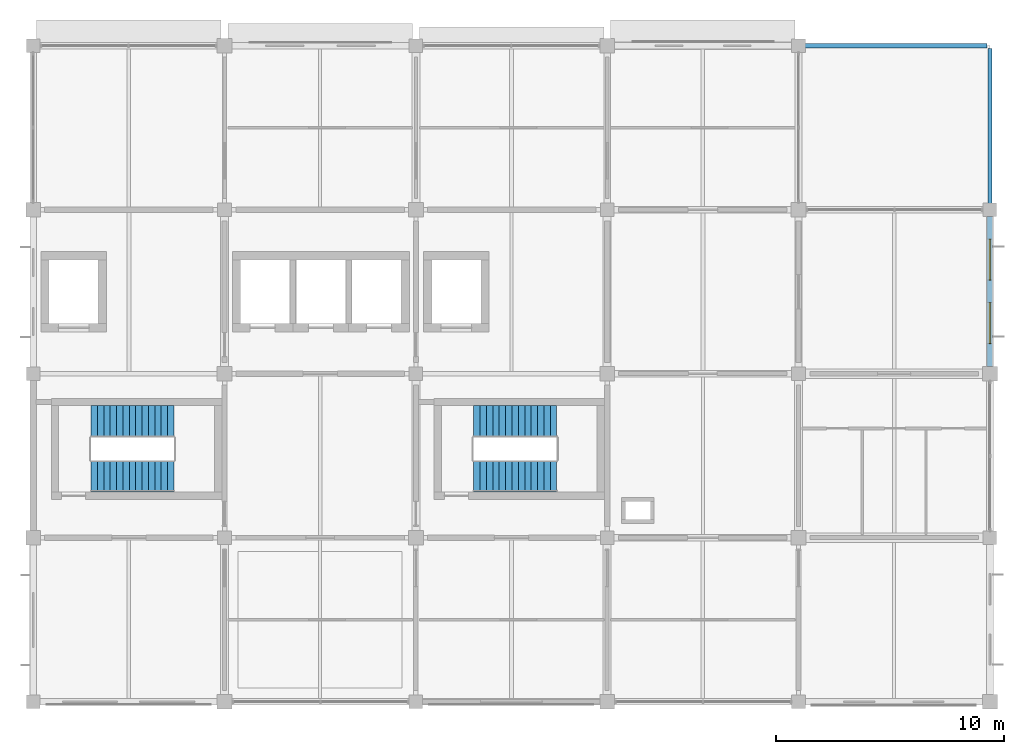
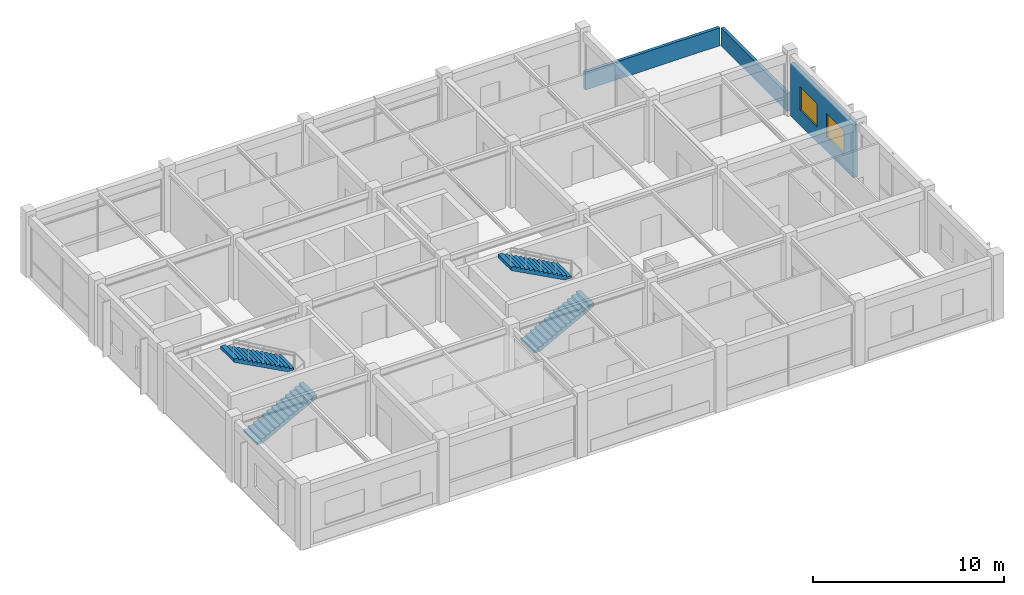
# One storey, part 11 of 13: 4 stair flights, 3 walls, 2 windows, 2 openings, 2 elements without a shape of their own.
"""IFC4 building model written with IfcOpenShell, lengths in metres."""

from ifc_helpers import new_model, si_unit, derived_unit, direction, frame, frame_2d, origin, place, context, subcontext, project, spatial, polyline, rectangle, outline, extrude, material, layer, layer_set, type_object, element, fill, aggregate, save


model = new_model("IFC4")

# Units and contexts
model_context = context("Model", 3, precision=1e-05, world=origin(), true_north=direction((0.0, 1.0)))
body_context = subcontext(model_context, "Body", "Model", "MODEL_VIEW")
ifc_project = project(units=[si_unit("LENGTHUNIT", "METRE"), si_unit("AREAUNIT", "SQUARE_METRE"), si_unit("VOLUMEUNIT", "CUBIC_METRE"), si_unit("PLANEANGLEUNIT", "RADIAN"), si_unit("MASSUNIT", "GRAM", prefix="KILO"), derived_unit("THERMALTRANSMITTANCEUNIT", [(si_unit("MASSUNIT", "GRAM", prefix="KILO"), 1), (si_unit("TIMEUNIT", "SECOND"), -3), (si_unit("THERMODYNAMICTEMPERATUREUNIT", "KELVIN"), -1)])], contexts=[model_context])

# Site, building, storey
site_placement = place(None, origin())
site = spatial("IfcSite", under=ifc_project, at=site_placement, CompositionType="ELEMENT")
building_placement = place(site_placement, origin())
building = spatial("IfcBuilding", under=site, at=building_placement, Name="Veldstrom Oceanarium and Marine Research Institute", CompositionType="ELEMENT")
storey_placement = place(building_placement, frame((0.0, 0.0, 52.199951171875)))
storey = spatial("IfcBuildingStorey", under=building, at=storey_placement, Name="L11", CompositionType="ELEMENT", Elevation=52.199951171875)

# Wall, openings, windows
ifc_material_1 = material(Name="Masonry Cavity Wall", Category="masonry")
ifc_layer_1 = layer(ifc_material_1, 0.25)
ifc_layer_set_1 = layer_set([ifc_layer_1], Name="ARC-WAL-EW5")
wall_type_1 = type_object("IfcWallType", Name="ARC-WAL-EW5", PredefinedType="SOLIDWALL", material=ifc_layer_set_1)
wall_1_placement = place(storey_placement, frame((117.60009765625, 57.925048828125, 0.0), z_axis=(0.0, 0.0, 1.0), x_axis=(0.0, 1.0, 0.0)))
wall_1 = element("IfcWall", 1, at=wall_1_placement, inside=storey, type_object=wall_type_1, Name="Exterior Facade Wall EW5 L11-240", PredefinedType="SOLIDWALL", context=body_context, shape_type="SweptSolid", body=[
    extrude(rectangle(XDim=6.574951171875, YDim=0.25, at=frame_2d((3.28759765625, 0.0))), origin(), (0.0, 0.0, 1.0), 3.364990234375),
])
opening_1_placement = place(wall_1_placement, frame((0.99169921875, 0.0, 0.949951171875)))
opening_1 = element("IfcOpeningElement", 2, at=opening_1_placement, cuts=wall_1, Name="Opening W14", PredefinedType="OPENING", context=body_context, shape_type="SweptSolid", body=[
    extrude(rectangle(XDim=1.800048828125, YDim=1.5, at=frame_2d((0.89990234375, 0.75))), frame((0.0, 0.135009765625, 0.0), z_axis=(0.0, -1.0, 0.0), x_axis=(1.0, 0.0, 0.0)), (0.0, 0.0, 1.0), 0.27001953125),
])
opening_2_placement = place(wall_1_placement, frame((3.783203125, 0.0, 0.949951171875)))
opening_2 = element("IfcOpeningElement", 3, at=opening_2_placement, cuts=wall_1, Name="Opening W14", PredefinedType="OPENING", context=body_context, shape_type="SweptSolid", body=[
    extrude(rectangle(XDim=1.800048828125, YDim=1.5, at=frame_2d((0.89990234375, 0.75))), frame((0.0, 0.135009765625, 0.0), z_axis=(0.0, -1.0, 0.0), x_axis=(1.0, 0.0, 0.0)), (0.0, 0.0, 1.0), 0.27001953125),
])
ifc_material_2 = material(Name="Double Glazed Low-E IGU", Category="glass")
window_type = type_object("IfcWindowType", Name="ARC-WIN-W14", PartitioningType="SINGLE_PANEL", PredefinedType="WINDOW", material=ifc_material_2)
window_1_placement = place(opening_1_placement, origin())
window_1 = element("IfcWindow", 4, at=window_1_placement, inside=storey, type_object=window_type, Name="Facade Window W14 L11-0223", OverallHeight=1.5, OverallWidth=1.800048828125, PartitioningType="SINGLE_PANEL", PredefinedType="WINDOW", context=body_context, shape_type="SweptSolid", body=[
    extrude(rectangle(XDim=1.800048828125, YDim=1.5, at=frame_2d((0.89990234375, 0.75))), frame((0.0, 0.030029296875, 0.0), z_axis=(0.0, -1.0, 0.0), x_axis=(1.0, 0.0, 0.0)), (0.0, 0.0, 1.0), 0.06005859375),
])
fill(opening_1, window_1)
window_2_placement = place(opening_2_placement, origin())
window_2 = element("IfcWindow", 5, at=window_2_placement, inside=storey, type_object=window_type, Name="Facade Window W14 L11-0224", OverallHeight=1.5, OverallWidth=1.800048828125, PartitioningType="SINGLE_PANEL", PredefinedType="WINDOW", context=body_context, shape_type="SweptSolid", body=[
    extrude(rectangle(XDim=1.800048828125, YDim=1.5, at=frame_2d((0.89990234375, 0.75))), frame((0.0, 0.030029296875, 0.0), z_axis=(0.0, -1.0, 0.0), x_axis=(1.0, 0.0, 0.0)), (0.0, 0.0, 1.0), 0.06005859375),
])
fill(opening_2, window_2)

# Walls
ifc_material_3 = material(Name="Masonry Cavity Wall", Category="masonry")
ifc_layer_2 = layer(ifc_material_3, 0.18505859375)
ifc_layer_set_2 = layer_set([ifc_layer_2], Name="ARC-WAL-PR2")
wall_type_2 = type_object("IfcWallType", Name="ARC-WAL-PR2", PredefinedType="PARAPET", material=ifc_layer_set_2)
wall_2_placement = place(storey_placement, frame((109.320068359375, 72.0, 0.0), z_axis=(0.0, 0.0, 1.0), x_axis=(1.0, 0.0, 0.0)))
element("IfcWall", 6, at=wall_2_placement, inside=storey, type_object=wall_type_2, Name="Roof Parapet Wall L10-105", PredefinedType="PARAPET", context=body_context, shape_type="SweptSolid", body=[
    extrude(rectangle(XDim=8.159912109375, YDim=0.18505859375, at=frame_2d((4.080078125, 0.0))), origin(), (0.0, 0.0, 1.0), 1.150146484375),
])
wall_3_placement = place(storey_placement, frame((117.60009765625, 64.919921875, 0.0), z_axis=(0.0, 0.0, 1.0), x_axis=(0.0, 1.0, 0.0)))
element("IfcWall", 7, at=wall_3_placement, inside=storey, type_object=wall_type_2, Name="Roof Parapet Wall L10-106", PredefinedType="PARAPET", context=body_context, shape_type="SweptSolid", body=[
    extrude(rectangle(XDim=6.9599609375, YDim=0.18505859375, at=frame_2d((3.47998046875, 0.0))), origin(), (0.0, 0.0, 1.0), 1.150146484375),
])

# Stair, stair flights
ifc_material_4 = material(Name="Concrete C40/50", Category="concrete")
stair_type = type_object("IfcStairType", Name="ARC-STR-ST-420", PredefinedType="TWO_STRAIGHT_RUN_STAIR", material=ifc_material_4)
stair_1_placement = place(storey_placement, origin())
stair_1 = element("IfcStair", 8, at=stair_1_placement, inside=storey, type_object=stair_type, Name="Dog-Leg Escape Stair ST1-L11", PredefinedType="TWO_STRAIGHT_RUN_STAIR")
ifc_material_5 = material(Name="Concrete C40/50", Category="concrete")
stair_flight_type = type_object("IfcStairFlightType", Name="ARC-STF-ST-420", PredefinedType="STRAIGHT", material=ifc_material_5)
stair_flight_1_placement = place(storey_placement, frame((78.139892578125, 53.10009765625, 0.0), z_axis=(0.0, 0.0, 1.0), x_axis=(1.0, 0.0, 0.0)))
stair_flight_1 = element("IfcStairFlight", 9, at=stair_flight_1_placement, type_object=stair_flight_type, Name="Stair Flight ST1-L11-1", NumberOfRisers=14, NumberOfTreads=13, PredefinedType="STRAIGHT", RiserHeight=0.15, TreadLength=0.28, context=body_context, shape_type="SweptSolid", body=[
    extrude(outline(polyline([(0.0, 0.0), (0.0, 0.14990234375), (0.280029296875, 0.14990234375), (0.280029296875, 0.300048828125), (0.56005859375, 0.300048828125), (0.56005859375, 0.449951171875), (0.840087890625, 0.449951171875), (0.840087890625, 0.60009765625), (1.1201171875, 0.60009765625), (1.1201171875, 0.75), (1.39990234375, 0.75), (1.39990234375, 0.89990234375), (1.679931640625, 0.89990234375), (1.679931640625, 1.050048828125), (1.9599609375, 1.050048828125), (1.9599609375, 1.199951171875), (2.239990234375, 1.199951171875), (2.239990234375, 1.35009765625), (2.52001953125, 1.35009765625), (2.52001953125, 1.5), (2.800048828125, 1.5), (2.800048828125, 1.64990234375), (3.080078125, 1.64990234375), (3.080078125, 1.800048828125), (3.360107421875, 1.800048828125), (3.360107421875, 1.949951171875), (3.639892578125, 1.949951171875), (3.639892578125, 2.10009765625), (3.639892578125, 1.745849609375), (0.381103515625, 0.0), (0.0, 0.0)])), frame((0.0, 0.699951171875, 0.0), z_axis=(0.0, -1.0, 0.0), x_axis=(1.0, 0.0, 0.0)), (0.0, 0.0, 1.0), 1.39990234375),
])
stair_flight_2_placement = place(storey_placement, frame((81.780029296875, 55.5, 2.10009765625), z_axis=(0.0, 0.0, 1.0), x_axis=(-1.0, 0.0, 0.0)))
stair_flight_2 = element("IfcStairFlight", 10, at=stair_flight_2_placement, type_object=stair_flight_type, Name="Stair Flight ST1-L11-2", NumberOfRisers=14, NumberOfTreads=13, PredefinedType="STRAIGHT", RiserHeight=0.15, TreadLength=0.28, context=body_context, shape_type="SweptSolid", body=[
    extrude(outline(polyline([(0.0, 0.0), (0.0, 0.14990234375), (0.280029296875, 0.14990234375), (0.280029296875, 0.300048828125), (0.56005859375, 0.300048828125), (0.56005859375, 0.449951171875), (0.840087890625, 0.449951171875), (0.840087890625, 0.60009765625), (1.1201171875, 0.60009765625), (1.1201171875, 0.75), (1.39990234375, 0.75), (1.39990234375, 0.89990234375), (1.679931640625, 0.89990234375), (1.679931640625, 1.050048828125), (1.9599609375, 1.050048828125), (1.9599609375, 1.199951171875), (2.239990234375, 1.199951171875), (2.239990234375, 1.35009765625), (2.52001953125, 1.35009765625), (2.52001953125, 1.5), (2.800048828125, 1.5), (2.800048828125, 1.64990234375), (3.080078125, 1.64990234375), (3.080078125, 1.800048828125), (3.360107421875, 1.800048828125), (3.360107421875, 1.949951171875), (3.639892578125, 1.949951171875), (3.639892578125, 2.10009765625), (3.639892578125, 1.745849609375), (0.381103515625, 0.0), (0.0, 0.0)])), frame((0.0, 0.699951171875, 0.0), z_axis=(0.0, -1.0, 0.0), x_axis=(1.0, 0.0, 0.0)), (0.0, 0.0, 1.0), 1.39990234375),
])
aggregate(stair_1, [stair_flight_1, stair_flight_2])

stair_2_placement = place(storey_placement, origin())
stair_2 = element("IfcStair", 11, at=stair_2_placement, inside=storey, type_object=stair_type, Name="Dog-Leg Escape Stair ST2-L11", PredefinedType="TWO_STRAIGHT_RUN_STAIR")
stair_flight_3_placement = place(storey_placement, frame((94.93994140625, 53.10009765625, 0.0), z_axis=(0.0, 0.0, 1.0), x_axis=(1.0, 0.0, 0.0)))
stair_flight_3 = element("IfcStairFlight", 12, at=stair_flight_3_placement, type_object=stair_flight_type, Name="Stair Flight ST2-L11-1", NumberOfRisers=14, NumberOfTreads=13, PredefinedType="STRAIGHT", RiserHeight=0.15, TreadLength=0.28, context=body_context, shape_type="SweptSolid", body=[
    extrude(outline(polyline([(0.0, 0.0), (0.0, 0.14990234375), (0.280029296875, 0.14990234375), (0.280029296875, 0.300048828125), (0.56005859375, 0.300048828125), (0.56005859375, 0.449951171875), (0.840087890625, 0.449951171875), (0.840087890625, 0.60009765625), (1.1201171875, 0.60009765625), (1.1201171875, 0.75), (1.39990234375, 0.75), (1.39990234375, 0.89990234375), (1.679931640625, 0.89990234375), (1.679931640625, 1.050048828125), (1.9599609375, 1.050048828125), (1.9599609375, 1.199951171875), (2.239990234375, 1.199951171875), (2.239990234375, 1.35009765625), (2.52001953125, 1.35009765625), (2.52001953125, 1.5), (2.800048828125, 1.5), (2.800048828125, 1.64990234375), (3.080078125, 1.64990234375), (3.080078125, 1.800048828125), (3.360107421875, 1.800048828125), (3.360107421875, 1.949951171875), (3.639892578125, 1.949951171875), (3.639892578125, 2.10009765625), (3.639892578125, 1.745849609375), (0.381103515625, 0.0), (0.0, 0.0)])), frame((0.0, 0.699951171875, 0.0), z_axis=(0.0, -1.0, 0.0), x_axis=(1.0, 0.0, 0.0)), (0.0, 0.0, 1.0), 1.39990234375),
])
stair_flight_4_placement = place(storey_placement, frame((98.580078125, 55.5, 2.10009765625), z_axis=(0.0, 0.0, 1.0), x_axis=(-1.0, 0.0, 0.0)))
stair_flight_4 = element("IfcStairFlight", 13, at=stair_flight_4_placement, type_object=stair_flight_type, Name="Stair Flight ST2-L11-2", NumberOfRisers=14, NumberOfTreads=13, PredefinedType="STRAIGHT", RiserHeight=0.15, TreadLength=0.28, context=body_context, shape_type="SweptSolid", body=[
    extrude(outline(polyline([(0.0, 0.0), (0.0, 0.14990234375), (0.280029296875, 0.14990234375), (0.280029296875, 0.300048828125), (0.56005859375, 0.300048828125), (0.56005859375, 0.449951171875), (0.840087890625, 0.449951171875), (0.840087890625, 0.60009765625), (1.1201171875, 0.60009765625), (1.1201171875, 0.75), (1.39990234375, 0.75), (1.39990234375, 0.89990234375), (1.679931640625, 0.89990234375), (1.679931640625, 1.050048828125), (1.9599609375, 1.050048828125), (1.9599609375, 1.199951171875), (2.239990234375, 1.199951171875), (2.239990234375, 1.35009765625), (2.52001953125, 1.35009765625), (2.52001953125, 1.5), (2.800048828125, 1.5), (2.800048828125, 1.64990234375), (3.080078125, 1.64990234375), (3.080078125, 1.800048828125), (3.360107421875, 1.800048828125), (3.360107421875, 1.949951171875), (3.639892578125, 1.949951171875), (3.639892578125, 2.10009765625), (3.639892578125, 1.745849609375), (0.381103515625, 0.0), (0.0, 0.0)])), frame((0.0, 0.699951171875, 0.0), z_axis=(0.0, -1.0, 0.0), x_axis=(1.0, 0.0, 0.0)), (0.0, 0.0, 1.0), 1.39990234375),
])
aggregate(stair_2, [stair_flight_3, stair_flight_4])

save(model, "model.ifc")
